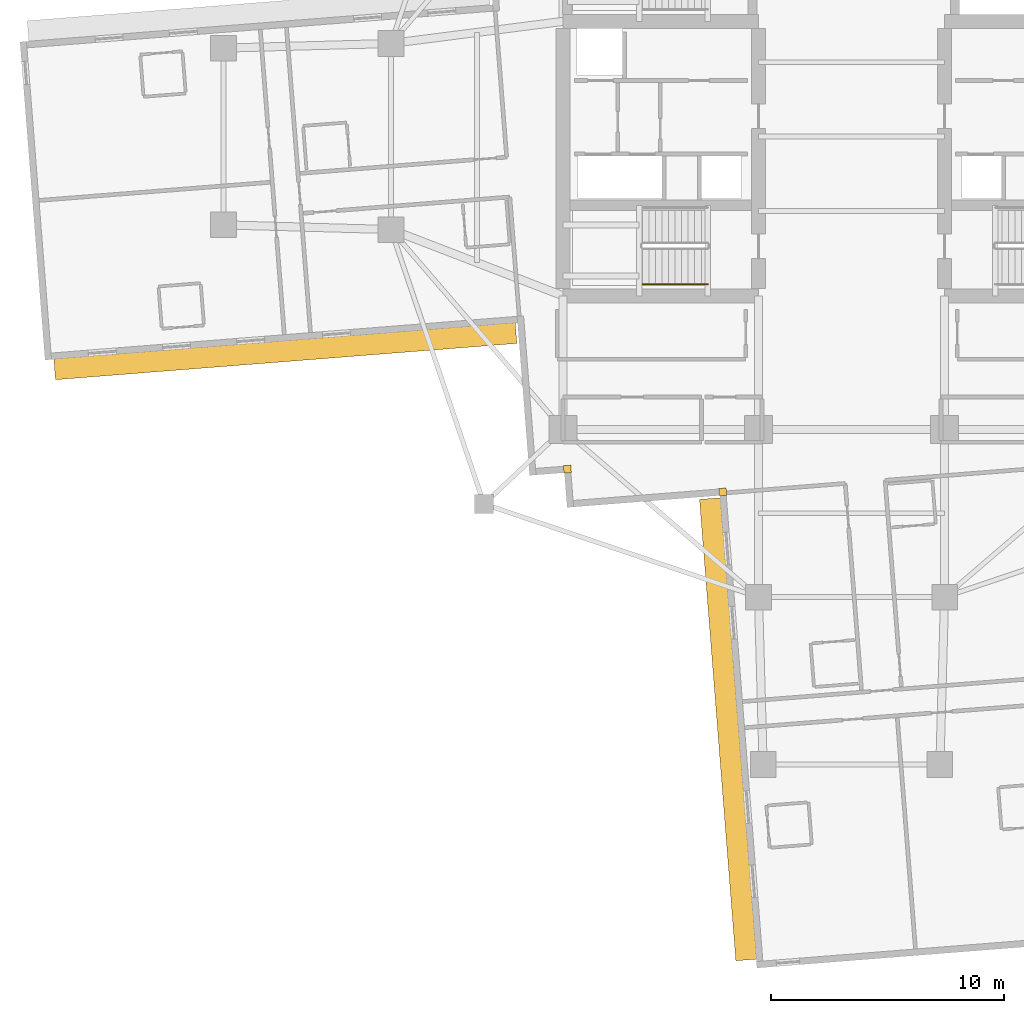
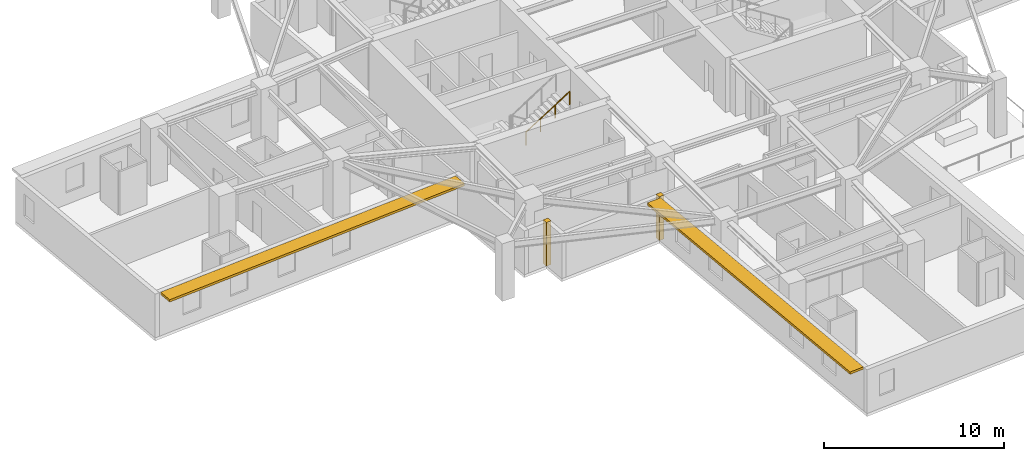
# One storey, part 10 of 14: 2 coverings, 2 shading devices, 1 railing.
"""IFC4 building model written with IfcOpenShell, lengths in metres."""

from ifc_helpers import new_model, si_unit, direction, frame, origin, origin_2d, place, context, subcontext, project, spatial, rectangle, circle, extrude, material, layer, layer_set, type_object, element, save


model = new_model("IFC4")

# Units and contexts
model_context = context("Model", 3, precision=1e-05, world=origin(), true_north=direction((0.0, 1.0)))
body_context = subcontext(model_context, "Body", "Model", "MODEL_VIEW")
ifc_project = project(units=[si_unit("LENGTHUNIT", "METRE"), si_unit("AREAUNIT", "SQUARE_METRE"), si_unit("VOLUMEUNIT", "CUBIC_METRE"), si_unit("PLANEANGLEUNIT", "RADIAN"), si_unit("MASSUNIT", "GRAM", prefix="KILO")], contexts=[model_context])

# Site, building, storey
site_placement = place(None, origin())
site = spatial("IfcSite", under=ifc_project, at=site_placement, CompositionType="ELEMENT")
building_placement = place(site_placement, origin())
building = spatial("IfcBuilding", under=site, at=building_placement, Name="Qingluan Cross Belvedere", CompositionType="ELEMENT")
storey_placement = place(building_placement, frame((0.0, 0.0, 124.199951171875)))
storey = spatial("IfcBuildingStorey", under=building, at=storey_placement, Name="L31", CompositionType="ELEMENT", Elevation=124.199951171875)

# Coverings
ifc_material_1 = material(Name="Precast concrete C45", Category="concrete")
ifc_layer_1 = layer(ifc_material_1, 0.1201171875, Name="ConcreteSpandrelCladding_120")
ifc_layer_set_1 = layer_set([ifc_layer_1], Name="Precast concrete C45")
covering_type = type_object("IfcCoveringType", Name="ConcreteSpandrelCladding_120", PredefinedType="CLADDING", material=ifc_layer_set_1)
for number, where, z_axis, x_axis, name in (
    (1, (-12.215576171875, -14.302490234375, 0.0), (0.0, 0.0, 1.0), (0.996917333733, 0.078459095728, 0.0), "Corner closure L31-SW1"),
    (2, (-5.5380859375, -15.281494140625, 0.0), (0.0, 0.0, 1.0), (0.996917333733, 0.078459095728, 0.0), "Corner closure L31-SW2"),
):
    element("IfcCovering", number, at=place(storey_placement, frame(where, z_axis=z_axis, x_axis=x_axis)), inside=storey, type_object=covering_type, Name=name, PredefinedType="CLADDING", context=body_context, shape_type="SweptSolid", body=[
        extrude(rectangle(XDim=0.320068359375, YDim=0.320068359375, at=origin_2d()), origin(), (0.0, 0.0, 1.0), 2.969970703125),
    ])

# Shading devices
ifc_material_2 = material(Name="Precast concrete C45", Category="concrete")
ifc_layer_2 = layer(ifc_material_2, 0.159912109375, Name="ConcreteSunshadeBand_900")
ifc_layer_set_2 = layer_set([ifc_layer_2], Name="Precast concrete C45")
shading_device_type = type_object("IfcShadingDeviceType", Name="ConcreteSunshadeBand_900", PredefinedType="USERDEFINED", material=ifc_layer_set_2)
for number, where, z_axis, x_axis, name in (
    (3, (-24.341064453125, -9.228271484375, 2.7900390625), (0.0, 0.0, 1.0), (0.996917430244, 0.078457869429, 0.0), "Concrete SUNSHADE L31-WB"),
    (4, (-5.306884765625, -25.48486328125, 2.7900390625), (0.0, 0.0, 1.0), (0.078457869429, -0.996917430244, 0.0), "Concrete SUNSHADE L31-SA"),
):
    element("IfcShadingDevice", number, at=place(storey_placement, frame(where, z_axis=z_axis, x_axis=x_axis)), inside=storey, type_object=shading_device_type, Name=name, ObjectType="SUNSHADE", PredefinedType="USERDEFINED", context=body_context, shape_type="SweptSolid", body=[
        extrude(rectangle(XDim=19.89990234375, YDim=0.89990234375, at=origin_2d()), origin(), (0.0, 0.0, 1.0), 0.159912109375),
    ])

# Railing
ifc_material_3 = material(Name="Brushed stainless steel tubular handrail", Category="steel")
railing_type = type_object("IfcRailingType", Name="StairPitchHandrail_900", PredefinedType="HANDRAIL", material=ifc_material_3)
railing_placement = place(storey_placement, frame((-8.97998046875, -6.35009765625, 2.12744140625)))
element("IfcRailing", 5, at=railing_placement, inside=storey, type_object=railing_type, Name="L31 ST1 stair handrail 2", PredefinedType="HANDRAIL", context=body_context, shape_type="SweptSolid", body=[
    extrude(circle(Radius=0.02392578125, at=origin_2d()), frame((0.0, 0.0, 0.8759765625), z_axis=(0.844908973607, 0.0, 0.534910110503), x_axis=(0.0, 1.0, 0.0)), (0.0, 0.0, 1.0), 3.31396484375),
    extrude(circle(Radius=0.02099609375, at=origin_2d()), origin(), (0.0, 0.0, 1.0), 0.851806640625),
    extrude(circle(Radius=0.02099609375, at=origin_2d()), frame((0.933349609375, 0.0, 0.5908203125)), (0.0, 0.0, 1.0), 0.851806640625),
    extrude(circle(Radius=0.02099609375, at=origin_2d()), frame((1.86669921875, 0.0, 1.181884765625)), (0.0, 0.0, 1.0), 0.851806640625),
    extrude(circle(Radius=0.02099609375, at=origin_2d()), frame((2.800048828125, 0.0, 1.772705078125)), (0.0, 0.0, 1.0), 0.851806640625),
])

save(model, "model.ifc")
